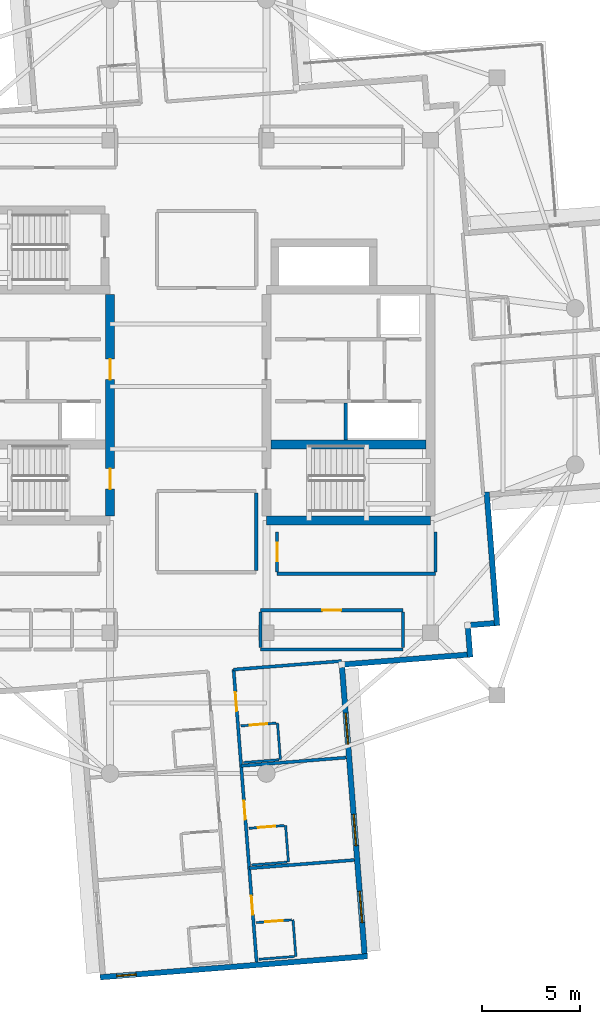
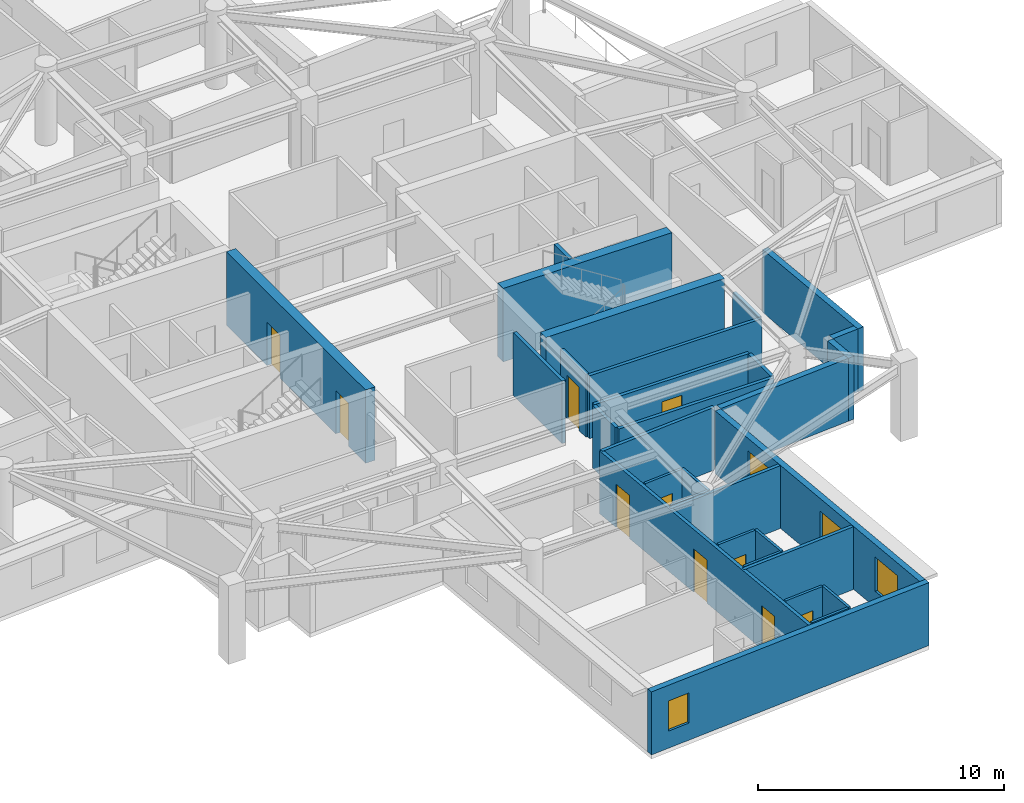
# One storey, part 5 of 13: 31 walls, 10 doors, 4 windows, 14 openings.
"""IFC4 building model written with IfcOpenShell, lengths in metres."""

from ifc_helpers import new_model, si_unit, direction, frame, frame_2d, origin, place, context, subcontext, project, spatial, rectangle, extrude, material, layer, layer_set, type_object, element, fill, save


model = new_model("IFC4")

# Units and contexts
model_context = context("Model", 3, precision=1e-05, world=origin(), true_north=direction((0.0, 1.0)))
body_context = subcontext(model_context, "Body", "Model", "MODEL_VIEW")
ifc_project = project(units=[si_unit("LENGTHUNIT", "METRE"), si_unit("AREAUNIT", "SQUARE_METRE"), si_unit("VOLUMEUNIT", "CUBIC_METRE"), si_unit("PLANEANGLEUNIT", "RADIAN"), si_unit("MASSUNIT", "GRAM", prefix="KILO")], contexts=[model_context])

# Site, building, storey
site_placement = place(None, origin())
site = spatial("IfcSite", under=ifc_project, at=site_placement, CompositionType="ELEMENT")
building_placement = place(site_placement, origin())
building = spatial("IfcBuilding", under=site, at=building_placement, Name="Qingluan Cross Belvedere", CompositionType="ELEMENT")
storey_placement = place(building_placement, frame((0.0, 0.0, 285.0)))
storey = spatial("IfcBuildingStorey", under=building, at=storey_placement, Name="L71", CompositionType="ELEMENT", Elevation=285.0)

# Wall, openings, doors
ifc_material_1 = material(Name="Concrete C50", Category="concrete")
ifc_layer_1 = layer(ifc_material_1, 0.449951171875, Name="CoreShearWall_450")
ifc_layer_set_1 = layer_set([ifc_layer_1], Name="Concrete C50")
wall_type_1 = type_object("IfcWallType", Name="CoreShearWall_450", PredefinedType="SHEAR", material=ifc_layer_set_1)
wall_1_placement = place(storey_placement, frame((-4.0, -6.6201171875, 0.0), z_axis=(0.0, 0.0, 1.0), x_axis=(0.0, 1.0, 0.0)))
wall_1 = element("IfcWall", 1, at=wall_1_placement, inside=storey, type_object=wall_type_1, Name="Split core W shear wall L71-E", PredefinedType="SHEAR", context=body_context, shape_type="SweptSolid", body=[
    extrude(rectangle(XDim=11.340087890625, YDim=0.449951171875, at=frame_2d((5.669921875, 0.0))), origin(), (0.0, 0.0, 1.0), 3.64990234375),
])
opening_1_placement = place(wall_1_placement, frame((1.3701171875, 0.0, 0.0)))
opening_1 = element("IfcOpeningElement", 2, at=opening_1_placement, cuts=wall_1, Name="Opening FD-B11", PredefinedType="OPENING", context=body_context, shape_type="SweptSolid", body=[
    extrude(rectangle(XDim=1.050048828125, YDim=2.14990234375, at=frame_2d((0.52490234375, 1.074951171875))), frame((0.0, 0.23486328125, 0.0), z_axis=(0.0, -1.0, 0.0), x_axis=(1.0, 0.0, 0.0)), (0.0, 0.0, 1.0), 0.469970703125),
])
opening_2_placement = place(wall_1_placement, frame((6.969970703125, 0.0, 0.0)))
opening_2 = element("IfcOpeningElement", 3, at=opening_2_placement, cuts=wall_1, Name="Opening FD-B11", PredefinedType="OPENING", context=body_context, shape_type="SweptSolid", body=[
    extrude(rectangle(XDim=1.050048828125, YDim=2.14990234375, at=frame_2d((0.52490234375, 1.074951171875))), frame((0.0, 0.23486328125, 0.0), z_axis=(0.0, -1.0, 0.0), x_axis=(1.0, 0.0, 0.0)), (0.0, 0.0, 1.0), 0.469970703125),
])
ifc_material_2 = material(Name="Steel Class B smoke-seal fire door", Category="steel")
door_type_1 = type_object("IfcDoorType", Name="StairLobbyFireDoor_FDB", OperationType="NOTDEFINED", PredefinedType="DOOR", material=ifc_material_2)
door_1_placement = place(opening_1_placement, origin())
door_1 = element("IfcDoor", 4, at=door_1_placement, inside=storey, type_object=door_type_1, Name="Smoke-proof stair ST1 fire door L71", OperationType="SINGLE_SWING_LEFT", OverallHeight=2.14990234375, OverallWidth=1.050048828125, PredefinedType="DOOR", context=body_context, shape_type="SweptSolid", body=[
    extrude(rectangle(XDim=1.050048828125, YDim=2.14990234375, at=frame_2d((0.52490234375, 1.074951171875))), frame((0.0, 0.02490234375, 0.0), z_axis=(0.0, -1.0, 0.0), x_axis=(1.0, 0.0, 0.0)), (0.0, 0.0, 1.0), 0.050048828125),
])
fill(opening_1, door_1)
door_2_placement = place(opening_2_placement, origin())
door_2 = element("IfcDoor", 5, at=door_2_placement, inside=storey, type_object=door_type_1, Name="Firefighting lobby West fire door L71", OperationType="SINGLE_SWING_LEFT", OverallHeight=2.14990234375, OverallWidth=1.050048828125, PredefinedType="DOOR", context=body_context, shape_type="SweptSolid", body=[
    extrude(rectangle(XDim=1.050048828125, YDim=2.14990234375, at=frame_2d((0.52490234375, 1.074951171875))), frame((0.0, 0.02490234375, 0.0), z_axis=(0.0, -1.0, 0.0), x_axis=(1.0, 0.0, 0.0)), (0.0, 0.0, 1.0), 0.050048828125),
])
fill(opening_2, door_2)

# Walls
wall_2_placement = place(storey_placement, frame((4.0, -6.85009765625, 0.0), z_axis=(0.0, 0.0, 1.0), x_axis=(1.0, 0.0, 0.0)))
element("IfcWall", 6, at=wall_2_placement, inside=storey, type_object=wall_type_1, Name="Split core E shear wall L71-S", PredefinedType="SHEAR", context=body_context, shape_type="SweptSolid", body=[
    extrude(rectangle(XDim=8.39990234375, YDim=0.449951171875, at=frame_2d((4.199951171875, 0.0))), origin(), (0.0, 0.0, 1.0), 3.64990234375),
])
wall_3_placement = place(storey_placement, frame((4.22998046875, -2.9599609375, 0.0), z_axis=(0.0, 0.0, 1.0), x_axis=(1.0, 0.0, 0.0)))
element("IfcWall", 7, at=wall_3_placement, inside=storey, type_object=wall_type_1, Name="Split core E shear wall L71-M", PredefinedType="SHEAR", context=body_context, shape_type="SweptSolid", body=[
    extrude(rectangle(XDim=7.93994140625, YDim=0.449951171875, at=frame_2d((3.969970703125, 0.0))), origin(), (0.0, 0.0, 1.0), 3.64990234375),
])
ifc_material_3 = material(Name="Gypsum plasterboard on steel stud acoustic partition", Category="steel")
ifc_layer_2 = layer(ifc_material_3, 0.159912109375, Name="CorridorPartition_160")
ifc_layer_set_2 = layer_set([ifc_layer_2], Name="Gypsum plasterboard on steel stud acoustic partition")
wall_type_2 = type_object("IfcWallType", Name="CorridorPartition_160", PredefinedType="PARTITIONING", material=ifc_layer_set_2)
wall_4_placement = place(storey_placement, frame((3.699951171875, -13.449951171875, 0.0), z_axis=(0.0, 0.0, 1.0), x_axis=(1.0, 0.0, 0.0)))
element("IfcWall", 8, at=wall_4_placement, inside=storey, type_object=wall_type_2, Name="Partition L71:q_se:S", PredefinedType="PARTITIONING", context=body_context, shape_type="SweptSolid", body=[
    extrude(rectangle(XDim=7.300048828125, YDim=0.159912109375, at=frame_2d((3.64990234375, 0.0))), origin(), (0.0, 0.0, 1.0), 3.1201171875),
])

# Wall, opening, door
wall_5_placement = place(storey_placement, frame((3.699951171875, -11.449951171875, 0.0), z_axis=(0.0, 0.0, 1.0), x_axis=(1.0, 0.0, 0.0)))
wall_5 = element("IfcWall", 9, at=wall_5_placement, inside=storey, type_object=wall_type_2, Name="Partition L71:q_se:N", PredefinedType="PARTITIONING", context=body_context, shape_type="SweptSolid", body=[
    extrude(rectangle(XDim=7.300048828125, YDim=0.159912109375, at=frame_2d((3.64990234375, 0.0))), origin(), (0.0, 0.0, 1.0), 3.1201171875),
])
opening_3_placement = place(wall_5_placement, frame((3.169921875, 0.0, 0.0)))
opening_3 = element("IfcOpeningElement", 10, at=opening_3_placement, cuts=wall_5, Name="Opening GD-10", PredefinedType="OPENING", context=body_context, shape_type="SweptSolid", body=[
    extrude(rectangle(XDim=0.9599609375, YDim=2.14990234375, at=frame_2d((0.47998046875, 1.074951171875))), frame((0.0, 0.08984375, 0.0), z_axis=(0.0, -1.0, 0.0), x_axis=(1.0, 0.0, 0.0)), (0.0, 0.0, 1.0), 0.179931640625),
])
ifc_material_4 = material(Name="Timber oak fire-rated acoustic guestroom door", Category="wood")
door_type_2 = type_object("IfcDoorType", Name="GuestEntryDoor_FD60", OperationType="NOTDEFINED", PredefinedType="DOOR", material=ifc_material_4)
door_3_placement = place(opening_3_placement, origin())
door_3 = element("IfcDoor", 11, at=door_3_placement, inside=storey, type_object=door_type_2, Name="Summit butler pantry L71 door", OperationType="SINGLE_SWING_RIGHT", OverallHeight=2.14990234375, OverallWidth=0.9599609375, PredefinedType="DOOR", context=body_context, shape_type="SweptSolid", body=[
    extrude(rectangle(XDim=0.9599609375, YDim=2.14990234375, at=frame_2d((0.47998046875, 1.074951171875))), frame((0.0, 0.02490234375, 0.0), z_axis=(0.0, -1.0, 0.0), x_axis=(1.0, 0.0, 0.0)), (0.0, 0.0, 1.0), 0.050048828125),
])
fill(opening_3, door_3)

# Walls
for number, where, z_axis, x_axis, name in (
    (12, (3.699951171875, -13.364990234375, 0.0), (0.0, 0.0, 1.0), (0.0, 1.0, 0.0), "Partition L71:q_se:W"),
    (13, (11.0, -13.364990234375, 0.0), (0.0, 0.0, 1.0), (0.0, 1.0, 0.0), "Partition L71:q_se:E"),
):
    element("IfcWall", number, at=place(storey_placement, frame(where, z_axis=z_axis, x_axis=x_axis)), inside=storey, type_object=wall_type_2, Name=name, PredefinedType="PARTITIONING", context=body_context, shape_type="SweptSolid", body=[
        extrude(rectangle(XDim=1.830078125, YDim=0.159912109375, at=frame_2d((0.9150390625, 0.0))), origin(), (0.0, 0.0, 1.0), 3.1201171875),
    ])
wall_6_placement = place(storey_placement, frame((3.47998046875, -9.4150390625, 0.0), z_axis=(0.0, 0.0, 1.0), x_axis=(0.0, 1.0, 0.0)))
element("IfcWall", 14, at=wall_6_placement, inside=storey, type_object=wall_type_2, Name="Partition L71:sky_south_alcove:E", PredefinedType="PARTITIONING", context=body_context, shape_type="SweptSolid", body=[
    extrude(rectangle(XDim=3.97998046875, YDim=0.159912109375, at=frame_2d((1.989990234375, 0.0))), origin(), (0.0, 0.0, 1.0), 3.1201171875),
])
wall_7_placement = place(storey_placement, frame((4.550048828125, -9.580078125, 0.0), z_axis=(0.0, 0.0, 1.0), x_axis=(1.0, 0.0, 0.0)))
element("IfcWall", 15, at=wall_7_placement, inside=storey, type_object=wall_type_2, Name="Partition L71:rec_st4:S", PredefinedType="PARTITIONING", context=body_context, shape_type="SweptSolid", body=[
    extrude(rectangle(XDim=8.099853515625, YDim=0.159912109375, at=frame_2d((4.0498046875, 0.0))), origin(), (0.0, 0.0, 1.0), 3.1201171875),
])

# Wall, opening, door
wall_8_placement = place(storey_placement, frame((4.550048828125, -9.4951171875, 0.0), z_axis=(0.0, 0.0, 1.0), x_axis=(0.0, 1.0, 0.0)))
wall_8 = element("IfcWall", 16, at=wall_8_placement, inside=storey, type_object=wall_type_2, Name="Partition L71:rec_st4:W", PredefinedType="PARTITIONING", context=body_context, shape_type="SweptSolid", body=[
    extrude(rectangle(XDim=2.06005859375, YDim=0.159912109375, at=frame_2d((1.030029296875, 0.0))), origin(), (0.0, 0.0, 1.0), 3.1201171875),
])
opening_4_placement = place(wall_8_placement, frame((0.550048828125, 0.0, 0.0)))
opening_4 = element("IfcOpeningElement", 17, at=opening_4_placement, cuts=wall_8, Name="Opening GD-10", PredefinedType="OPENING", context=body_context, shape_type="SweptSolid", body=[
    extrude(rectangle(XDim=0.9599609375, YDim=2.14990234375, at=frame_2d((0.47998046875, 1.074951171875))), frame((0.0, 0.08984375, 0.0), z_axis=(0.0, -1.0, 0.0), x_axis=(1.0, 0.0, 0.0)), (0.0, 0.0, 1.0), 0.179931640625),
])
door_4_placement = place(opening_4_placement, origin())
door_4 = element("IfcDoor", 18, at=door_4_placement, inside=storey, type_object=door_type_2, Name="Southeast club library room L71 door", OperationType="SINGLE_SWING_RIGHT", OverallHeight=2.14990234375, OverallWidth=0.9599609375, PredefinedType="DOOR", context=body_context, shape_type="SweptSolid", body=[
    extrude(rectangle(XDim=0.9599609375, YDim=2.14990234375, at=frame_2d((0.47998046875, 1.074951171875))), frame((0.0, 0.02490234375, 0.0), z_axis=(0.0, -1.0, 0.0), x_axis=(1.0, 0.0, 0.0)), (0.0, 0.0, 1.0), 0.050048828125),
])
fill(opening_4, door_4)

# Wall
wall_9_placement = place(storey_placement, frame((12.64990234375, -9.4951171875, 0.0), z_axis=(0.0, 0.0, 1.0), x_axis=(0.0, 1.0, 0.0)))
element("IfcWall", 19, at=wall_9_placement, inside=storey, type_object=wall_type_2, Name="Partition L71:rec_st4:E", PredefinedType="PARTITIONING", context=body_context, shape_type="SweptSolid", body=[
    extrude(rectangle(XDim=2.06005859375, YDim=0.159912109375, at=frame_2d((1.030029296875, 0.0))), origin(), (0.0, 0.0, 1.0), 3.1201171875),
])

# Wall, openings, doors
wall_10_placement = place(storey_placement, frame((2.323486328125, -14.482421875, 0.0), z_axis=(0.0, 0.0, 1.0), x_axis=(0.078453666116, -0.996917761038, 0.0)))
wall_10 = element("IfcWall", 20, at=wall_10_placement, inside=storey, type_object=wall_type_2, Name="Partition L71:S:c0", PredefinedType="PARTITIONING", context=body_context, shape_type="SweptSolid", body=[
    extrude(rectangle(XDim=15.011962890625, YDim=0.159912109375, at=frame_2d((7.505859375, 0.0))), origin(), (0.0, 0.0, 1.0), 3.1201171875),
])
opening_5_placement = place(wall_10_placement, frame((1.1650390625, 0.0, 0.0)))
opening_5 = element("IfcOpeningElement", 21, at=opening_5_placement, cuts=wall_10, Name="Opening GD-10", PredefinedType="OPENING", context=body_context, shape_type="SweptSolid", body=[
    extrude(rectangle(XDim=0.9599609375, YDim=2.14990234375, at=frame_2d((0.47998046875, 1.074951171875))), frame((0.0, 0.08984375, 0.0), z_axis=(0.0, -1.0, 0.0), x_axis=(1.0, 0.0, 0.0)), (0.0, 0.0, 1.0), 0.179931640625),
])
opening_6_placement = place(wall_10_placement, frame((6.73388671875, 0.0, 0.0)))
opening_6 = element("IfcOpeningElement", 22, at=opening_6_placement, cuts=wall_10, Name="Opening GD-10", PredefinedType="OPENING", context=body_context, shape_type="SweptSolid", body=[
    extrude(rectangle(XDim=0.9599609375, YDim=2.14990234375, at=frame_2d((0.47998046875, 1.074951171875))), frame((0.0, 0.08984375, 0.0), z_axis=(0.0, -1.0, 0.0), x_axis=(1.0, 0.0, 0.0)), (0.0, 0.0, 1.0), 0.179931640625),
])
opening_7_placement = place(wall_10_placement, frame((11.615966796875, 0.0, 0.0)))
opening_7 = element("IfcOpeningElement", 23, at=opening_7_placement, cuts=wall_10, Name="Opening GD-10", PredefinedType="OPENING", context=body_context, shape_type="SweptSolid", body=[
    extrude(rectangle(XDim=0.9599609375, YDim=2.14990234375, at=frame_2d((0.47998046875, 1.074951171875))), frame((0.0, 0.08984375, 0.0), z_axis=(0.0, -1.0, 0.0), x_axis=(1.0, 0.0, 0.0)), (0.0, 0.0, 1.0), 0.179931640625),
])
door_5_placement = place(opening_5_placement, origin())
door_5 = element("IfcDoor", 24, at=door_5_placement, inside=storey, type_object=door_type_2, Name="Guest entry fire door 7113", OperationType="SINGLE_SWING_RIGHT", OverallHeight=2.14990234375, OverallWidth=0.9599609375, PredefinedType="DOOR", context=body_context, shape_type="SweptSolid", body=[
    extrude(rectangle(XDim=0.9599609375, YDim=2.14990234375, at=frame_2d((0.47998046875, 1.074951171875))), frame((0.0, 0.02490234375, 0.0), z_axis=(0.0, -1.0, 0.0), x_axis=(1.0, 0.0, 0.0)), (0.0, 0.0, 1.0), 0.050048828125),
])
fill(opening_5, door_5)
door_6_placement = place(opening_6_placement, origin())
door_6 = element("IfcDoor", 25, at=door_6_placement, inside=storey, type_object=door_type_2, Name="Guest entry fire door 7114", OperationType="SINGLE_SWING_RIGHT", OverallHeight=2.14990234375, OverallWidth=0.9599609375, PredefinedType="DOOR", context=body_context, shape_type="SweptSolid", body=[
    extrude(rectangle(XDim=0.9599609375, YDim=2.14990234375, at=frame_2d((0.47998046875, 1.074951171875))), frame((0.0, 0.02490234375, 0.0), z_axis=(0.0, -1.0, 0.0), x_axis=(1.0, 0.0, 0.0)), (0.0, 0.0, 1.0), 0.050048828125),
])
fill(opening_6, door_6)
door_7_placement = place(opening_7_placement, origin())
door_7 = element("IfcDoor", 26, at=door_7_placement, inside=storey, type_object=door_type_2, Name="Guest entry fire door 7115", OperationType="SINGLE_SWING_RIGHT", OverallHeight=2.14990234375, OverallWidth=0.9599609375, PredefinedType="DOOR", context=body_context, shape_type="SweptSolid", body=[
    extrude(rectangle(XDim=0.9599609375, YDim=2.14990234375, at=frame_2d((0.47998046875, 1.074951171875))), frame((0.0, 0.02490234375, 0.0), z_axis=(0.0, -1.0, 0.0), x_axis=(1.0, 0.0, 0.0)), (0.0, 0.0, 1.0), 0.050048828125),
])
fill(opening_7, door_7)

# Walls
wall_11_placement = place(storey_placement, frame((2.323486328125, -14.482421875, 0.0), z_axis=(0.0, 0.0, 1.0), x_axis=(0.996915230802, 0.078485811425, 0.0)))
element("IfcWall", 27, at=wall_11_placement, inside=storey, type_object=wall_type_2, Name="Partition L71:S:s0", PredefinedType="PARTITIONING", context=body_context, shape_type="SweptSolid", body=[
    extrude(rectangle(XDim=5.5400390625, YDim=0.159912109375, at=frame_2d((2.77001953125, 0.0))), origin(), (0.0, 0.0, 1.0), 3.1201171875),
])
wall_12_placement = place(storey_placement, frame((2.711181640625, -19.4091796875, 0.0), z_axis=(0.0, 0.0, 1.0), x_axis=(0.996916817298, 0.078465657388, 0.0)))
element("IfcWall", 28, at=wall_12_placement, inside=storey, type_object=wall_type_2, Name="Partition L71:S:d0_0", PredefinedType="PARTITIONING", context=body_context, shape_type="SweptSolid", body=[
    extrude(rectangle(XDim=5.39208984375, YDim=0.159912109375, at=frame_2d((2.696044921875, 0.0))), origin(), (0.0, 0.0, 1.0), 3.1201171875),
])
wall_13_placement = place(storey_placement, frame((3.123779296875, -24.65087890625, 0.0), z_axis=(0.0, 0.0, 1.0), x_axis=(0.996916538512, 0.078469199312, 0.0)))
element("IfcWall", 29, at=wall_13_placement, inside=storey, type_object=wall_type_2, Name="Partition L71:S:d0_1", PredefinedType="PARTITIONING", context=body_context, shape_type="SweptSolid", body=[
    extrude(rectangle(XDim=5.391845703125, YDim=0.159912109375, at=frame_2d((2.69580078125, 0.0))), origin(), (0.0, 0.0, 1.0), 3.1201171875),
])

# Wall, opening, door
ifc_material_5 = material(Name="Moisture-resistant gypsum board lining")
ifc_layer_3 = layer(ifc_material_5, 0.1201171875, Name="EnsuiteWetPartition_120")
ifc_layer_set_3 = layer_set([ifc_layer_3], Name="Moisture-resistant gypsum board lining")
wall_type_3 = type_object("IfcWallType", Name="EnsuiteWetPartition_120", PredefinedType="PARTITIONING", material=ifc_layer_set_3)
wall_14_placement = place(storey_placement, frame((2.690673828125, -17.364501953125, 0.0), z_axis=(0.0, 0.0, 1.0), x_axis=(0.996916400774, 0.0784709492, 0.0)))
wall_14 = element("IfcWall", 30, at=wall_14_placement, inside=storey, type_object=wall_type_3, Name="Partition L71:S:bs0_0", PredefinedType="PARTITIONING", context=body_context, shape_type="SweptSolid", body=[
    extrude(rectangle(XDim=1.820068359375, YDim=0.1201171875, at=frame_2d((0.91015625, 0.0))), origin(), (0.0, 0.0, 1.0), 3.1201171875),
])
opening_8_placement = place(wall_14_placement, frame((0.469970703125, 0.0, 0.0)))
opening_8 = element("IfcOpeningElement", 31, at=opening_8_placement, cuts=wall_14, Name="Opening BD-09", PredefinedType="OPENING", context=body_context, shape_type="SweptSolid", body=[
    extrude(rectangle(XDim=0.8798828125, YDim=2.10009765625, at=frame_2d((0.43994140625, 1.050048828125))), frame((0.0, 0.070068359375, 0.0), z_axis=(0.0, -1.0, 0.0), x_axis=(1.0, 0.0, 0.0)), (0.0, 0.0, 1.0), 0.14013671875),
])
ifc_material_6 = material(Name="Moisture-sealed timber en-suite door", Category="wood")
door_type_3 = type_object("IfcDoorType", Name="BathroomDoor_880", OperationType="NOTDEFINED", PredefinedType="DOOR", material=ifc_material_6)
door_8_placement = place(opening_8_placement, origin())
door_8 = element("IfcDoor", 32, at=door_8_placement, inside=storey, type_object=door_type_3, Name="Bathroom door 7113", OperationType="SINGLE_SWING_LEFT", OverallHeight=2.10009765625, OverallWidth=0.8798828125, PredefinedType="DOOR", context=body_context, shape_type="SweptSolid", body=[
    extrude(rectangle(XDim=0.8798828125, YDim=2.10009765625, at=frame_2d((0.43994140625, 1.050048828125))), frame((0.0, 0.02490234375, 0.0), z_axis=(0.0, -1.0, 0.0), x_axis=(1.0, 0.0, 0.0)), (0.0, 0.0, 1.0), 0.050048828125),
])
fill(opening_8, door_8)

# Walls
wall_15_placement = place(storey_placement, frame((2.838134765625, -19.238525390625, 0.0), z_axis=(0.0, 0.0, 1.0), x_axis=(0.996916400774, 0.0784709492, 0.0)))
element("IfcWall", 33, at=wall_15_placement, inside=storey, type_object=wall_type_3, Name="Partition L71:S:bw0_0", PredefinedType="PARTITIONING", context=body_context, shape_type="SweptSolid", body=[
    extrude(rectangle(XDim=1.820068359375, YDim=0.1201171875, at=frame_2d((0.91015625, 0.0))), origin(), (0.0, 0.0, 1.0), 3.1201171875),
])
wall_16_placement = place(storey_placement, frame((4.56982421875, -17.216552734375, 0.0), z_axis=(0.0, 0.0, 1.0), x_axis=(0.07843418698, -0.996919293781, 0.0)))
element("IfcWall", 34, at=wall_16_placement, inside=storey, type_object=wall_type_3, Name="Partition L71:S:bn0_0", PredefinedType="PARTITIONING", context=body_context, shape_type="SweptSolid", body=[
    extrude(rectangle(XDim=1.880126953125, YDim=0.1201171875, at=frame_2d((0.93994140625, 0.0))), origin(), (0.0, 0.0, 1.0), 3.1201171875),
])

# Wall, opening, door
wall_17_placement = place(storey_placement, frame((3.103271484375, -22.606201171875, 0.0), z_axis=(0.0, 0.0, 1.0), x_axis=(0.996915574626, 0.078481444107, 0.0)))
wall_17 = element("IfcWall", 35, at=wall_17_placement, inside=storey, type_object=wall_type_3, Name="Partition L71:S:bs0_1", PredefinedType="PARTITIONING", context=body_context, shape_type="SweptSolid", body=[
    extrude(rectangle(XDim=1.81982421875, YDim=0.1201171875, at=frame_2d((0.909912109375, 0.0))), origin(), (0.0, 0.0, 1.0), 3.1201171875),
])
opening_9_placement = place(wall_17_placement, frame((0.469970703125, 0.0, 0.0)))
opening_9 = element("IfcOpeningElement", 36, at=opening_9_placement, cuts=wall_17, Name="Opening BD-09", PredefinedType="OPENING", context=body_context, shape_type="SweptSolid", body=[
    extrude(rectangle(XDim=0.8798828125, YDim=2.10009765625, at=frame_2d((0.43994140625, 1.050048828125))), frame((0.0, 0.070068359375, 0.0), z_axis=(0.0, -1.0, 0.0), x_axis=(1.0, 0.0, 0.0)), (0.0, 0.0, 1.0), 0.14013671875),
])
door_9_placement = place(opening_9_placement, origin())
door_9 = element("IfcDoor", 37, at=door_9_placement, inside=storey, type_object=door_type_3, Name="Bathroom door 7114", OperationType="SINGLE_SWING_LEFT", OverallHeight=2.10009765625, OverallWidth=0.8798828125, PredefinedType="DOOR", context=body_context, shape_type="SweptSolid", body=[
    extrude(rectangle(XDim=0.8798828125, YDim=2.10009765625, at=frame_2d((0.43994140625, 1.050048828125))), frame((0.0, 0.02490234375, 0.0), z_axis=(0.0, -1.0, 0.0), x_axis=(1.0, 0.0, 0.0)), (0.0, 0.0, 1.0), 0.050048828125),
])
fill(opening_9, door_9)

# Walls
wall_18_placement = place(storey_placement, frame((3.250732421875, -24.48046875, 0.0), z_axis=(0.0, 0.0, 1.0), x_axis=(0.996916400774, 0.0784709492, 0.0)))
element("IfcWall", 38, at=wall_18_placement, inside=storey, type_object=wall_type_3, Name="Partition L71:S:bw0_1", PredefinedType="PARTITIONING", context=body_context, shape_type="SweptSolid", body=[
    extrude(rectangle(XDim=1.820068359375, YDim=0.1201171875, at=frame_2d((0.91015625, 0.0))), origin(), (0.0, 0.0, 1.0), 3.1201171875),
])
wall_19_placement = place(storey_placement, frame((4.982421875, -22.458251953125, 0.0), z_axis=(0.0, 0.0, 1.0), x_axis=(0.07843418698, -0.996919293781, 0.0)))
element("IfcWall", 39, at=wall_19_placement, inside=storey, type_object=wall_type_3, Name="Partition L71:S:bn0_1", PredefinedType="PARTITIONING", context=body_context, shape_type="SweptSolid", body=[
    extrude(rectangle(XDim=1.880126953125, YDim=0.1201171875, at=frame_2d((0.93994140625, 0.0))), origin(), (0.0, 0.0, 1.0), 3.1201171875),
])

# Wall, opening, door
wall_20_placement = place(storey_placement, frame((3.48291015625, -27.431396484375, 0.0), z_axis=(0.0, 0.0, 1.0), x_axis=(0.996916400774, 0.0784709492, 0.0)))
wall_20 = element("IfcWall", 40, at=wall_20_placement, inside=storey, type_object=wall_type_3, Name="Partition L71:S:bs0_2", PredefinedType="PARTITIONING", context=body_context, shape_type="SweptSolid", body=[
    extrude(rectangle(XDim=1.820068359375, YDim=0.1201171875, at=frame_2d((0.91015625, 0.0))), origin(), (0.0, 0.0, 1.0), 3.1201171875),
])
opening_10_placement = place(wall_20_placement, frame((0.469970703125, 0.0, 0.0)))
opening_10 = element("IfcOpeningElement", 41, at=opening_10_placement, cuts=wall_20, Name="Opening BD-09", PredefinedType="OPENING", context=body_context, shape_type="SweptSolid", body=[
    extrude(rectangle(XDim=0.8798828125, YDim=2.10009765625, at=frame_2d((0.43994140625, 1.050048828125))), frame((0.0, 0.070068359375, 0.0), z_axis=(0.0, -1.0, 0.0), x_axis=(1.0, 0.0, 0.0)), (0.0, 0.0, 1.0), 0.14013671875),
])
door_10_placement = place(opening_10_placement, origin())
door_10 = element("IfcDoor", 42, at=door_10_placement, inside=storey, type_object=door_type_3, Name="Bathroom door 7115", OperationType="SINGLE_SWING_LEFT", OverallHeight=2.10009765625, OverallWidth=0.8798828125, PredefinedType="DOOR", context=body_context, shape_type="SweptSolid", body=[
    extrude(rectangle(XDim=0.8798828125, YDim=2.10009765625, at=frame_2d((0.43994140625, 1.050048828125))), frame((0.0, 0.02490234375, 0.0), z_axis=(0.0, -1.0, 0.0), x_axis=(1.0, 0.0, 0.0)), (0.0, 0.0, 1.0), 0.050048828125),
])
fill(opening_10, door_10)

# Walls
wall_21_placement = place(storey_placement, frame((3.630615234375, -29.305419921875, 0.0), z_axis=(0.0, 0.0, 1.0), x_axis=(0.996915574626, 0.078481444107, 0.0)))
element("IfcWall", 43, at=wall_21_placement, inside=storey, type_object=wall_type_3, Name="Partition L71:S:bw0_2", PredefinedType="PARTITIONING", context=body_context, shape_type="SweptSolid", body=[
    extrude(rectangle(XDim=1.81982421875, YDim=0.1201171875, at=frame_2d((0.909912109375, 0.0))), origin(), (0.0, 0.0, 1.0), 3.1201171875),
])
wall_22_placement = place(storey_placement, frame((5.3623046875, -27.283447265625, 0.0), z_axis=(0.0, 0.0, 1.0), x_axis=(0.07843418698, -0.996919293781, 0.0)))
element("IfcWall", 44, at=wall_22_placement, inside=storey, type_object=wall_type_3, Name="Partition L71:S:bn0_2", PredefinedType="PARTITIONING", context=body_context, shape_type="SweptSolid", body=[
    extrude(rectangle(XDim=1.880126953125, YDim=0.1201171875, at=frame_2d((0.93994140625, 0.0))), origin(), (0.0, 0.0, 1.0), 3.1201171875),
])

# Wall, openings, windows
ifc_material_7 = material(Name="Precast concrete C45", Category="concrete")
ifc_layer_4 = layer(ifc_material_7, 0.280029296875, Name="PrecastFacadeWall_280")
ifc_layer_set_4 = layer_set([ifc_layer_4], Name="Precast concrete C45")
wall_type_4 = type_object("IfcWallType", Name="PrecastFacadeWall_280", PredefinedType="STANDARD", material=ifc_layer_set_4)
wall_23_placement = place(storey_placement, frame((9.02490234375, -29.021484375, 0.0), z_axis=(0.0, 0.0, 1.0), x_axis=(-0.078456642068, 0.996917526837, 0.0)))
wall_23 = element("IfcWall", 45, at=wall_23_placement, inside=storey, type_object=wall_type_4, Name="Facade wall L71-SB", PredefinedType="STANDARD", context=body_context, shape_type="SweptSolid", body=[
    extrude(rectangle(XDim=14.7001953125, YDim=0.280029296875, at=frame_2d((7.35009765625, 0.0))), origin(), (0.0, 0.0, 1.0), 3.1298828125),
])
opening_11_placement = place(wall_23_placement, frame((1.60009765625, 0.0, 0.800048828125)))
opening_11 = element("IfcOpeningElement", 46, at=opening_11_placement, cuts=wall_23, Name="Opening W-04", PredefinedType="OPENING", context=body_context, shape_type="SweptSolid", body=[
    extrude(rectangle(XDim=1.60009765625, YDim=1.699951171875, at=frame_2d((0.800048828125, 0.85009765625))), frame((0.0, 0.14990234375, 0.0), z_axis=(0.0, -1.0, 0.0), x_axis=(1.0, 0.0, 0.0)), (0.0, 0.0, 1.0), 0.300048828125),
])
opening_12_placement = place(wall_23_placement, frame((5.550048828125, 0.0, 0.800048828125)))
opening_12 = element("IfcOpeningElement", 47, at=opening_12_placement, cuts=wall_23, Name="Opening W-04", PredefinedType="OPENING", context=body_context, shape_type="SweptSolid", body=[
    extrude(rectangle(XDim=1.60009765625, YDim=1.699951171875, at=frame_2d((0.800048828125, 0.85009765625))), frame((0.0, 0.14990234375, 0.0), z_axis=(0.0, -1.0, 0.0), x_axis=(1.0, 0.0, 0.0)), (0.0, 0.0, 1.0), 0.300048828125),
])
opening_13_placement = place(wall_23_placement, frame((10.75, 0.0, 0.800048828125)))
opening_13 = element("IfcOpeningElement", 48, at=opening_13_placement, cuts=wall_23, Name="Opening W-04", PredefinedType="OPENING", context=body_context, shape_type="SweptSolid", body=[
    extrude(rectangle(XDim=1.60009765625, YDim=1.699951171875, at=frame_2d((0.800048828125, 0.85009765625))), frame((0.0, 0.14990234375, 0.0), z_axis=(0.0, -1.0, 0.0), x_axis=(1.0, 0.0, 0.0)), (0.0, 0.0, 1.0), 0.300048828125),
])
ifc_material_8 = material(Name="Thermally broken triple Low-E glass in aluminium frame", Category="aluminium")
window_type_1 = type_object("IfcWindowType", Name="SuiteCornerWin_1600x1700", PartitioningType="SINGLE_PANEL", PredefinedType="WINDOW", material=ifc_material_8)
window_1_placement = place(opening_11_placement, origin())
window_1 = element("IfcWindow", 49, at=window_1_placement, inside=storey, type_object=window_type_1, Name="Ribbon window L71-SB-1", OverallHeight=1.699951171875, OverallWidth=1.60009765625, PartitioningType="SINGLE_PANEL", PredefinedType="WINDOW", context=body_context, shape_type="SweptSolid", body=[
    extrude(rectangle(XDim=1.60009765625, YDim=1.699951171875, at=frame_2d((0.800048828125, 0.85009765625))), frame((0.0, 0.030029296875, 0.0), z_axis=(0.0, -1.0, 0.0), x_axis=(1.0, 0.0, 0.0)), (0.0, 0.0, 1.0), 0.06005859375),
])
fill(opening_11, window_1)
window_2_placement = place(opening_12_placement, origin())
window_2 = element("IfcWindow", 50, at=window_2_placement, inside=storey, type_object=window_type_1, Name="Ribbon window L71-SB-2", OverallHeight=1.699951171875, OverallWidth=1.60009765625, PartitioningType="SINGLE_PANEL", PredefinedType="WINDOW", context=body_context, shape_type="SweptSolid", body=[
    extrude(rectangle(XDim=1.60009765625, YDim=1.699951171875, at=frame_2d((0.800048828125, 0.85009765625))), frame((0.0, 0.030029296875, 0.0), z_axis=(0.0, -1.0, 0.0), x_axis=(1.0, 0.0, 0.0)), (0.0, 0.0, 1.0), 0.06005859375),
])
fill(opening_12, window_2)
window_3_placement = place(opening_13_placement, origin())
window_3 = element("IfcWindow", 51, at=window_3_placement, inside=storey, type_object=window_type_1, Name="Ribbon window L71-SB-3", OverallHeight=1.699951171875, OverallWidth=1.60009765625, PartitioningType="SINGLE_PANEL", PredefinedType="WINDOW", context=body_context, shape_type="SweptSolid", body=[
    extrude(rectangle(XDim=1.60009765625, YDim=1.699951171875, at=frame_2d((0.800048828125, 0.85009765625))), frame((0.0, 0.030029296875, 0.0), z_axis=(0.0, -1.0, 0.0), x_axis=(1.0, 0.0, 0.0)), (0.0, 0.0, 1.0), 0.06005859375),
])
fill(opening_13, window_3)

# Wall, opening, window
wall_24_placement = place(storey_placement, frame((-4.502197265625, -30.226318359375, 0.0), z_axis=(0.0, 0.0, 1.0), x_axis=(0.996917480881, 0.078457226018, 0.0)))
wall_24 = element("IfcWall", 52, at=wall_24_placement, inside=storey, type_object=wall_type_4, Name="Arm tip precast facade wall L71-S", PredefinedType="STANDARD", context=body_context, shape_type="SweptSolid", body=[
    extrude(rectangle(XDim=13.7197265625, YDim=0.280029296875, at=frame_2d((6.85986328125, 0.0))), origin(), (0.0, 0.0, 1.0), 3.1298828125),
])
opening_14_placement = place(wall_24_placement, frame((0.85009765625, 0.0, 0.85009765625)))
opening_14 = element("IfcOpeningElement", 53, at=opening_14_placement, cuts=wall_24, Name="Opening W-03", PredefinedType="OPENING", context=body_context, shape_type="SweptSolid", body=[
    extrude(rectangle(XDim=1.0, YDim=1.5, at=frame_2d((0.5, 0.75))), frame((0.0, 0.14990234375, 0.0), z_axis=(0.0, -1.0, 0.0), x_axis=(1.0, 0.0, 0.0)), (0.0, 0.0, 1.0), 0.300048828125),
])
ifc_material_9 = material(Name="Thermally broken triple Low-E glass in aluminium frame", Category="aluminium")
window_type_2 = type_object("IfcWindowType", Name="TriApexWin_1000x1500", PartitioningType="SINGLE_PANEL", PredefinedType="WINDOW", material=ifc_material_9)
window_4_placement = place(opening_14_placement, origin())
window_4 = element("IfcWindow", 54, at=window_4_placement, inside=storey, type_object=window_type_2, Name="Arm tip triangular window L71-S", OverallHeight=1.5, OverallWidth=1.0, PartitioningType="SINGLE_PANEL", PredefinedType="WINDOW", context=body_context, shape_type="SweptSolid", body=[
    extrude(rectangle(XDim=1.0, YDim=1.5, at=frame_2d((0.5, 0.75))), frame((0.0, 0.030029296875, 0.0), z_axis=(0.0, -1.0, 0.0), x_axis=(1.0, 0.0, 0.0)), (0.0, 0.0, 1.0), 0.06005859375),
])
fill(opening_14, window_4)

# Walls
wall_25_placement = place(storey_placement, frame((15.2705078125, -5.3984375, 0.0), z_axis=(0.0, 0.0, 1.0), x_axis=(0.078473519122, -0.996916198482, 0.0)))
element("IfcWall", 55, at=wall_25_placement, inside=storey, type_object=wall_type_4, Name="Corner wall L71-SE1", PredefinedType="STANDARD", context=body_context, shape_type="SweptSolid", body=[
    extrude(rectangle(XDim=6.860107421875, YDim=0.280029296875, at=frame_2d((3.43017578125, 0.0))), origin(), (0.0, 0.0, 1.0), 3.1298828125),
])
wall_26_placement = place(storey_placement, frame((15.658203125, -12.10888671875, 0.0), z_axis=(0.0, 0.0, 1.0), x_axis=(-0.996917540398, -0.078456469752, 0.0)))
element("IfcWall", 56, at=wall_26_placement, inside=storey, type_object=wall_type_4, Name="Corner wall L71-SE2", PredefinedType="STANDARD", context=body_context, shape_type="SweptSolid", body=[
    extrude(rectangle(XDim=1.2197265625, YDim=0.280029296875, at=frame_2d((0.60986328125, 0.0))), origin(), (0.0, 0.0, 1.0), 3.1298828125),
])
wall_27_placement = place(storey_placement, frame((14.3134765625, -12.35498046875, 0.0), z_axis=(0.0, 0.0, 1.0), x_axis=(0.078451338629, -0.9969179442, 0.0)))
element("IfcWall", 57, at=wall_27_placement, inside=storey, type_object=wall_type_4, Name="Corner wall L71-SE3", PredefinedType="STANDARD", context=body_context, shape_type="SweptSolid", body=[
    extrude(rectangle(XDim=1.5, YDim=0.280029296875, at=frame_2d((0.75, 0.0))), origin(), (0.0, 0.0, 1.0), 3.1298828125),
])
wall_28_placement = place(storey_placement, frame((14.280517578125, -13.721923828125, 0.0), z_axis=(0.0, 0.0, 1.0), x_axis=(-0.99691915642, -0.078435932851, 0.0)))
element("IfcWall", 58, at=wall_28_placement, inside=storey, type_object=wall_type_4, Name="Corner wall L71-SE4", PredefinedType="STANDARD", context=body_context, shape_type="SweptSolid", body=[
    extrude(rectangle(XDim=6.2998046875, YDim=0.280029296875, at=frame_2d((3.14990234375, 0.0))), origin(), (0.0, 0.0, 1.0), 3.1298828125),
])
ifc_material_10 = material(Name="Concrete C40", Category="concrete")
ifc_layer_5 = layer(ifc_material_10, 0.219970703125, Name="ShaftEnclosureWall_250")
ifc_layer_set_5 = layer_set([ifc_layer_5], Name="Concrete C40")
wall_type_5 = type_object("IfcWallType", Name="ShaftEnclosureWall_250", PredefinedType="SOLIDWALL", material=ifc_layer_set_5)
wall_29_placement = place(storey_placement, frame((8.06005859375, -2.72998046875, 0.0), z_axis=(0.0, 0.0, 1.0), x_axis=(0.0, 1.0, 0.0)))
element("IfcWall", 59, at=wall_29_placement, inside=storey, type_object=wall_type_5, Name="Hoistway enclosure divider LP9W L71", PredefinedType="SOLIDWALL", context=body_context, shape_type="SweptSolid", body=[
    extrude(rectangle(XDim=1.889892578125, YDim=0.179931640625, at=frame_2d((0.94482421875, 0.0))), origin(), (0.0, 0.0, 1.0), 3.1201171875),
])

save(model, "model.ifc")
